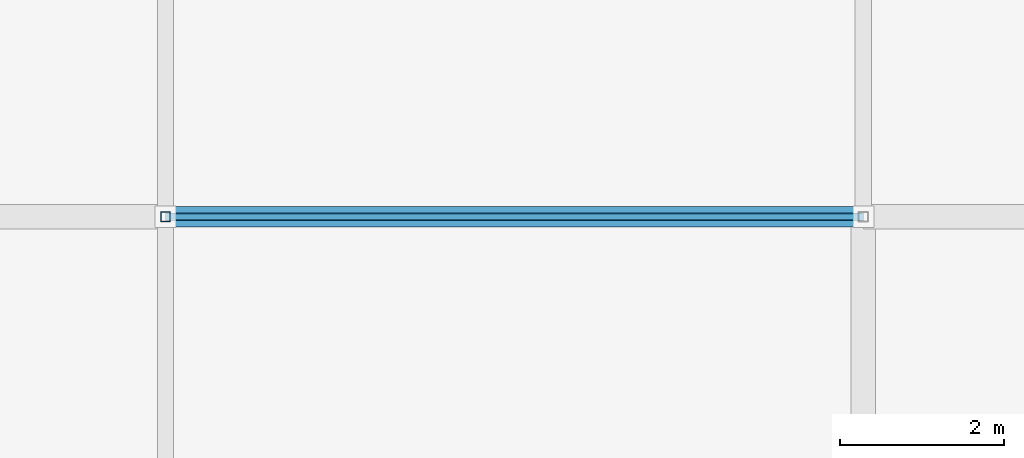
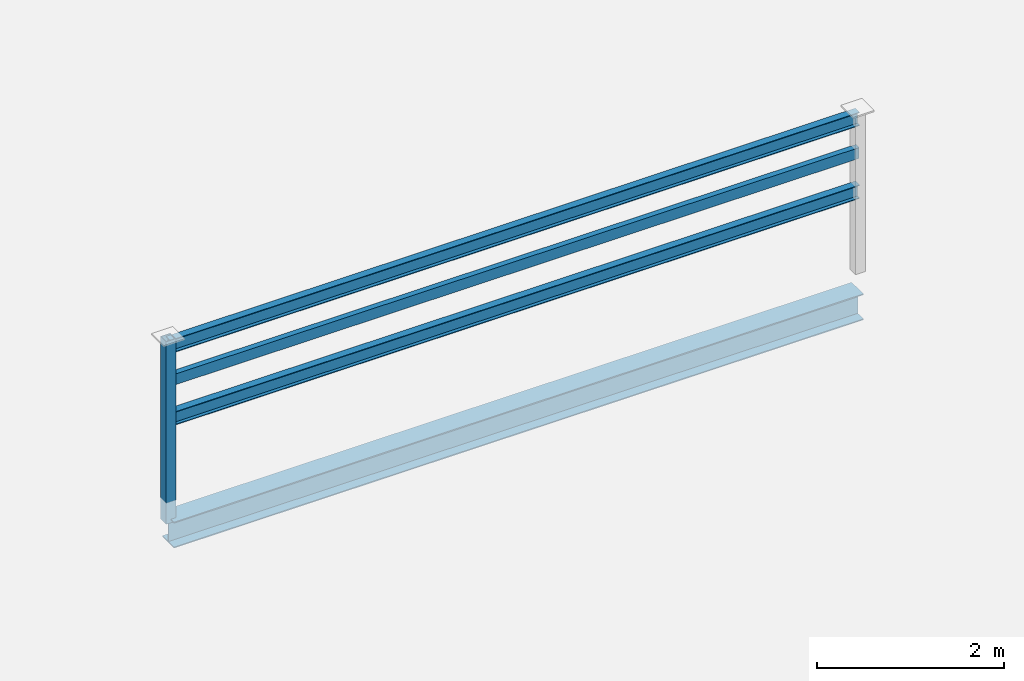
# One storey, part 9 of 66: 4 members, 1 beam.
"""IFC4 building model written with IfcOpenShell, lengths in metres."""

from ifc_helpers import new_model, si_unit, direction, frame, origin, origin_2d, place, context, subcontext, project, spatial, hollow_rectangle, i_section, extrude, material, material_profile, profile_set, type_object, element, save


model = new_model("IFC4")

# Units and contexts
model_context = context("Model", 3, precision=1e-05, world=origin(), true_north=direction((0.0, 1.0)))
body_context = subcontext(model_context, "Body", "Model", "MODEL_VIEW")
ifc_project = project(units=[si_unit("LENGTHUNIT", "METRE"), si_unit("AREAUNIT", "SQUARE_METRE"), si_unit("VOLUMEUNIT", "CUBIC_METRE"), si_unit("PLANEANGLEUNIT", "RADIAN"), si_unit("MASSUNIT", "GRAM", prefix="KILO")], contexts=[model_context])

# Site, building, storey
site_placement = place(None, origin())
site = spatial("IfcSite", under=ifc_project, at=site_placement, CompositionType="ELEMENT")
building_placement = place(site_placement, origin())
building = spatial("IfcBuilding", under=site, at=building_placement, Name="Solvikara Media Centre", CompositionType="ELEMENT")
storey_placement = place(building_placement, frame((0.0, 0.0, 19.800048828125)))
storey = spatial("IfcBuildingStorey", under=building, at=storey_placement, Name="L04", CompositionType="ELEMENT", Elevation=19.800048828125)

# Beam
ifc_material = material(Name="Steel S355JR", Category="steel")
ifc_material_profile_1 = material_profile(ifc_material, i_section(OverallWidth=0.25, OverallDepth=0.340087890625, WebThickness=0.009033203125, FlangeThickness=0.013916015625, at=origin_2d()), Name="H 340x250x9x14")
ifc_profile_set_1 = profile_set([ifc_material_profile_1], Name="Steel S355JR")
beam_type = type_object("IfcBeamType", Name="BM-30", PredefinedType="BEAM", material=ifc_profile_set_1)
beam_placement = place(storey_placement, frame((8.5, 44.800048828125, -0.402099609375), z_axis=(1.0, 0.0, 0.0), x_axis=(0.0, 1.0, 0.0)))
element("IfcBeam", 1, at=beam_placement, inside=storey, type_object=beam_type, Name="B-L04-X1466", PredefinedType="BEAM", context=body_context, shape_type="SweptSolid", body=[
    extrude(i_section(OverallWidth=0.25, OverallDepth=0.340087890625, WebThickness=0.009033203125, FlangeThickness=0.013916015625, at=origin_2d()), origin(), (0.0, 0.0, 1.0), 8.5),
])

# Members
ifc_material_profile_2 = material_profile(ifc_material, hollow_rectangle(XDim=0.070068359375, YDim=0.139892578125, WallThickness=0.0048828125, at=origin_2d()), Name="RHS 140x70x5")
ifc_profile_set_2 = profile_set([ifc_material_profile_2], Name="Steel S355JR")
member_type_1 = type_object("IfcMemberType", Name="MB-20", PredefinedType="PURLIN", material=ifc_profile_set_2)
member_1_placement = place(storey_placement, frame((8.5, 44.800048828125, 1.550048828125), z_axis=(1.0, 0.0, 0.0), x_axis=(0.0, 1.0, 0.0)))
element("IfcMember", 2, at=member_1_placement, inside=storey, type_object=member_type_1, Name="PS-PRL-1", PredefinedType="PURLIN", context=body_context, shape_type="SweptSolid", body=[
    extrude(hollow_rectangle(XDim=0.070068359375, YDim=0.139892578125, WallThickness=0.0048828125, at=origin_2d()), origin(), (0.0, 0.0, 1.0), 8.5),
])
ifc_material_profile_3 = material_profile(ifc_material, i_section(OverallWidth=0.090087890625, OverallDepth=0.175048828125, WebThickness=0.0048828125, FlangeThickness=0.008056640625, at=origin_2d()), Name="WF 175x90x5x8")
ifc_profile_set_3 = profile_set([ifc_material_profile_3], Name="Steel S355JR")
member_type_2 = type_object("IfcMemberType", Name="MB-22", PredefinedType="PURLIN", material=ifc_profile_set_3)
for number, where, z_axis, x_axis, name in (
    (3, (8.5, 44.800048828125, 1.050048828125), (1.0, 0.0, 0.0), (0.0, 1.0, 0.0), "PS-RAIL-M1"),
    (4, (8.5, 44.800048828125, 2.0), (1.0, 0.0, 0.0), (0.0, 1.0, 0.0), "PS-RAIL-T1"),
):
    element("IfcMember", number, at=place(storey_placement, frame(where, z_axis=z_axis, x_axis=x_axis)), inside=storey, type_object=member_type_2, Name=name, PredefinedType="PURLIN", context=body_context, shape_type="SweptSolid", body=[
        extrude(i_section(OverallWidth=0.090087890625, OverallDepth=0.175048828125, WebThickness=0.0048828125, FlangeThickness=0.008056640625, at=origin_2d()), origin(), (0.0, 0.0, 1.0), 8.5),
    ])
ifc_material_profile_4 = material_profile(ifc_material, hollow_rectangle(XDim=0.1201171875, YDim=0.1201171875, WallThickness=0.006103515625, at=origin_2d()), Name="RHS 120x120x6")
ifc_profile_set_4 = profile_set([ifc_material_profile_4], Name="Steel S355JR")
member_type_3 = type_object("IfcMemberType", Name="MB-24", PredefinedType="POST", material=ifc_profile_set_4)
member_2_placement = place(storey_placement, frame((8.5, 44.800048828125, -0.280029296875), z_axis=(0.0, 0.0, 1.0), x_axis=(1.0, 0.0, 0.0)))
element("IfcMember", 5, at=member_2_placement, inside=storey, type_object=member_type_3, Name="PS-POST-A1", PredefinedType="POST", context=body_context, shape_type="SweptSolid", body=[
    extrude(hollow_rectangle(XDim=0.1201171875, YDim=0.1201171875, WallThickness=0.006103515625, at=origin_2d()), origin(), (0.0, 0.0, 1.0), 2.3798828125),
])

save(model, "model.ifc")
